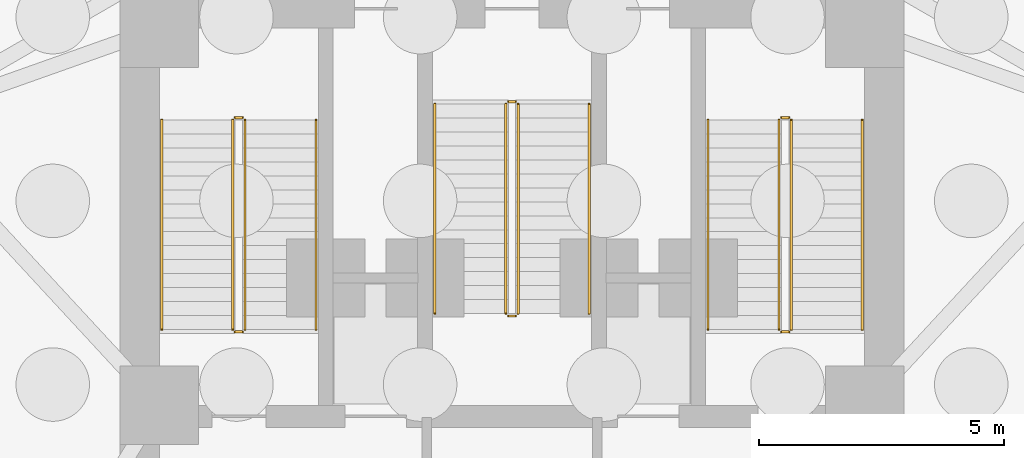
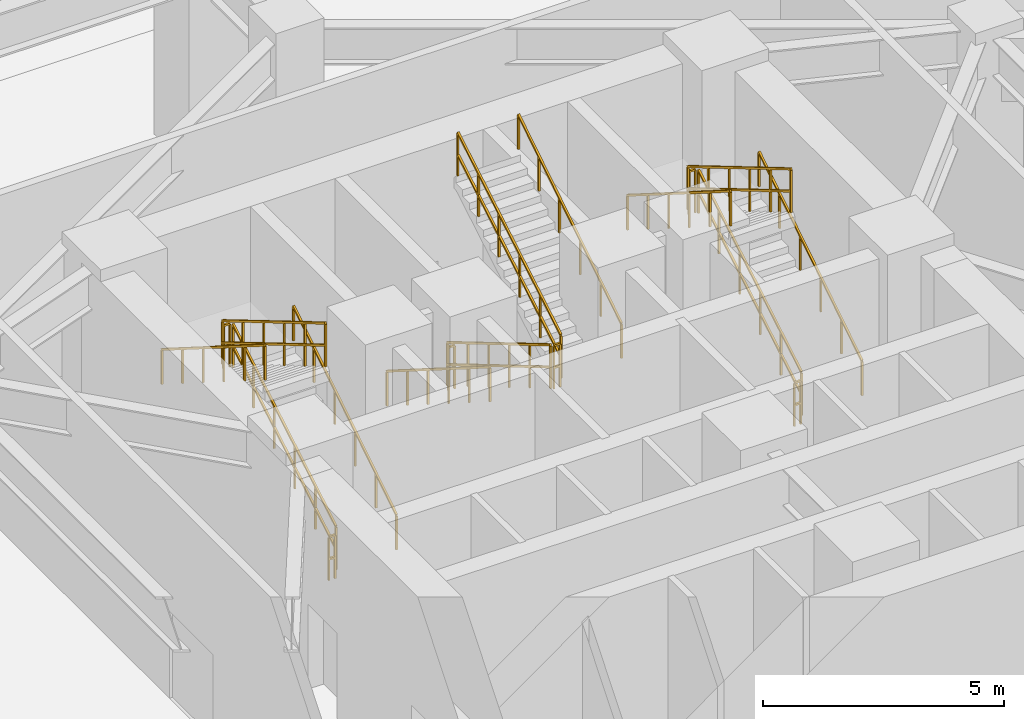
# One storey, part 7 of 8: 18 railings.
"""IFC4 building model written with IfcOpenShell, lengths in metres."""

from ifc_helpers import new_model, si_unit, direction, frame, origin, origin_2d, place, context, subcontext, project, spatial, rectangle, extrude, material, type_object, element, save


model = new_model("IFC4")

# Units and contexts
model_context = context("Model", 3, precision=1e-05, world=origin(), true_north=direction((0.0, 1.0)))
body_context = subcontext(model_context, "Body", "Model", "MODEL_VIEW")
ifc_project = project(units=[si_unit("LENGTHUNIT", "METRE"), si_unit("AREAUNIT", "SQUARE_METRE"), si_unit("VOLUMEUNIT", "CUBIC_METRE"), si_unit("PLANEANGLEUNIT", "RADIAN"), si_unit("MASSUNIT", "GRAM", prefix="KILO")], contexts=[model_context])

# Site, building, storey
site_placement = place(None, origin())
site = spatial("IfcSite", under=ifc_project, at=site_placement, CompositionType="ELEMENT")
building_placement = place(site_placement, origin())
building = spatial("IfcBuilding", under=site, at=building_placement, Name="Apsidion Concourse Tower", CompositionType="ELEMENT")
storey_placement = place(building_placement, frame((0.0, 0.0, -5.39990234375)))
storey = spatial("IfcBuildingStorey", under=building, at=storey_placement, Name="B01", CompositionType="ELEMENT", Elevation=-5.39990234375)

# Railings
ifc_material = material(Name="Brushed stainless steel 316", Category="steel")
railing_type_1 = type_object("IfcRailingType", Name="RL-GUARD-1100", PredefinedType="GUARDRAIL", material=ifc_material)
railing_1_placement = place(storey_placement, frame((-5.449951171875, 3.0, 0.168701171875)))
element("IfcRailing", 1, at=railing_1_placement, inside=storey, type_object=railing_type_1, Name="B01 ST1 stair guard 1", PredefinedType="GUARDRAIL", context=body_context, shape_type="SweptSolid", body=[
    extrude(rectangle(XDim=0.048095703125, YDim=0.048095703125, at=origin_2d()), frame((0.0, 0.0, 1.09619140625), z_axis=(0.0, 0.860470286479, 0.509500624227), x_axis=(-1.0, 0.0, 0.0)), (0.0, 0.0, 1.0), 4.968017578125),
    extrude(rectangle(XDim=0.048095703125, YDim=0.048095703125, at=origin_2d()), frame((0.0, 0.0, 0.5361328125), z_axis=(0.0, 0.860470286479, 0.509500624227), x_axis=(-1.0, 0.0, 0.0)), (0.0, 0.0, 1.0), 4.968017578125),
    extrude(rectangle(XDim=0.0419921875, YDim=0.0419921875, at=origin_2d()), origin(), (0.0, 0.0, 1.0), 1.072021484375),
    extrude(rectangle(XDim=0.0419921875, YDim=0.0419921875, at=origin_2d()), frame((0.0, 0.85498046875, 0.50634765625)), (0.0, 0.0, 1.0), 1.072021484375),
    extrude(rectangle(XDim=0.0419921875, YDim=0.0419921875, at=origin_2d()), frame((0.0, 1.7099609375, 1.012451171875)), (0.0, 0.0, 1.0), 1.072021484375),
    extrude(rectangle(XDim=0.0419921875, YDim=0.0419921875, at=origin_2d()), frame((0.0, 2.56494140625, 1.518798828125)), (0.0, 0.0, 1.0), 1.072021484375),
    extrude(rectangle(XDim=0.0419921875, YDim=0.0419921875, at=origin_2d()), frame((0.0, 3.419921875, 2.02490234375)), (0.0, 0.0, 1.0), 1.072021484375),
    extrude(rectangle(XDim=0.0419921875, YDim=0.0419921875, at=origin_2d()), frame((0.0, 4.27490234375, 2.53125)), (0.0, 0.0, 1.0), 1.072021484375),
])
railing_2_placement = place(storey_placement, frame((-5.5, 7.324951171875, 2.699951171875)))
element("IfcRailing", 2, at=railing_2_placement, inside=storey, type_object=railing_type_1, Name="B01 ST1 stair guard 2", PredefinedType="GUARDRAIL", context=body_context, shape_type="SweptSolid", body=[
    extrude(rectangle(XDim=0.048095703125, YDim=0.048095703125, at=origin_2d()), frame((0.0, 0.0, 1.09619140625), z_axis=(-1.0, 0.0, 0.0), x_axis=(0.0, -1.0, 0.0)), (0.0, 0.0, 1.0), 0.14990234375),
    extrude(rectangle(XDim=0.048095703125, YDim=0.048095703125, at=origin_2d()), frame((0.0, 0.0, 0.5361328125), z_axis=(-1.0, 0.0, 0.0), x_axis=(0.0, -1.0, 0.0)), (0.0, 0.0, 1.0), 0.14990234375),
    extrude(rectangle(XDim=0.0419921875, YDim=0.0419921875, at=origin_2d()), origin(), (0.0, 0.0, 1.0), 1.072021484375),
    extrude(rectangle(XDim=0.0419921875, YDim=0.0419921875, at=origin_2d()), frame((-0.14990234375, 0.0, 0.0)), (0.0, 0.0, 1.0), 1.072021484375),
])
railing_3_placement = place(storey_placement, frame((-5.699951171875, 7.27490234375, 2.86865234375)))
element("IfcRailing", 3, at=railing_3_placement, inside=storey, type_object=railing_type_1, Name="B01 ST1 stair guard 3", PredefinedType="GUARDRAIL", context=body_context, shape_type="SweptSolid", body=[
    extrude(rectangle(XDim=0.048095703125, YDim=0.048095703125, at=origin_2d()), frame((0.0, 0.0, 1.09619140625), z_axis=(0.0, -0.860470286479, 0.509500624227), x_axis=(1.0, 0.0, 0.0)), (0.0, 0.0, 1.0), 4.968017578125),
    extrude(rectangle(XDim=0.048095703125, YDim=0.048095703125, at=origin_2d()), frame((0.0, 0.0, 0.5361328125), z_axis=(0.0, -0.860470286479, 0.509500624227), x_axis=(1.0, 0.0, 0.0)), (0.0, 0.0, 1.0), 4.968017578125),
    extrude(rectangle(XDim=0.0419921875, YDim=0.0419921875, at=origin_2d()), origin(), (0.0, 0.0, 1.0), 1.072021484375),
    extrude(rectangle(XDim=0.0419921875, YDim=0.0419921875, at=origin_2d()), frame((0.0, -0.85498046875, 0.50634765625)), (0.0, 0.0, 1.0), 1.072021484375),
    extrude(rectangle(XDim=0.0419921875, YDim=0.0419921875, at=origin_2d()), frame((0.0, -1.7099609375, 1.012451171875)), (0.0, 0.0, 1.0), 1.072021484375),
    extrude(rectangle(XDim=0.0419921875, YDim=0.0419921875, at=origin_2d()), frame((0.0, -2.56494140625, 1.518798828125)), (0.0, 0.0, 1.0), 1.072021484375),
    extrude(rectangle(XDim=0.0419921875, YDim=0.0419921875, at=origin_2d()), frame((0.0, -3.419921875, 2.02490234375)), (0.0, 0.0, 1.0), 1.072021484375),
    extrude(rectangle(XDim=0.0419921875, YDim=0.0419921875, at=origin_2d()), frame((0.0, -4.27490234375, 2.53125)), (0.0, 0.0, 1.0), 1.072021484375),
])
railing_4_placement = place(storey_placement, frame((-5.5, 2.949951171875, 0.0)))
element("IfcRailing", 4, at=railing_4_placement, inside=storey, type_object=railing_type_1, Name="B01 ST1 stair guard 4", PredefinedType="GUARDRAIL", context=body_context, shape_type="SweptSolid", body=[
    extrude(rectangle(XDim=0.048095703125, YDim=0.048095703125, at=origin_2d()), frame((0.0, 0.0, 1.09619140625), z_axis=(-1.0, 0.0, 0.0), x_axis=(0.0, -1.0, 0.0)), (0.0, 0.0, 1.0), 0.14990234375),
    extrude(rectangle(XDim=0.048095703125, YDim=0.048095703125, at=origin_2d()), frame((0.0, 0.0, 0.5361328125), z_axis=(-1.0, 0.0, 0.0), x_axis=(0.0, -1.0, 0.0)), (0.0, 0.0, 1.0), 0.14990234375),
    extrude(rectangle(XDim=0.0419921875, YDim=0.0419921875, at=origin_2d()), origin(), (0.0, 0.0, 1.0), 1.072021484375),
    extrude(rectangle(XDim=0.0419921875, YDim=0.0419921875, at=origin_2d()), frame((-0.14990234375, 0.0, 0.0)), (0.0, 0.0, 1.0), 1.072021484375),
])
railing_5_placement = place(storey_placement, frame((5.699951171875, 3.0, 0.168701171875)))
element("IfcRailing", 5, at=railing_5_placement, inside=storey, type_object=railing_type_1, Name="B01 ST2 stair guard 1", PredefinedType="GUARDRAIL", context=body_context, shape_type="SweptSolid", body=[
    extrude(rectangle(XDim=0.048095703125, YDim=0.048095703125, at=origin_2d()), frame((0.0, 0.0, 1.09619140625), z_axis=(0.0, 0.860470286479, 0.509500624227), x_axis=(-1.0, 0.0, 0.0)), (0.0, 0.0, 1.0), 4.968017578125),
    extrude(rectangle(XDim=0.048095703125, YDim=0.048095703125, at=origin_2d()), frame((0.0, 0.0, 0.5361328125), z_axis=(0.0, 0.860470286479, 0.509500624227), x_axis=(-1.0, 0.0, 0.0)), (0.0, 0.0, 1.0), 4.968017578125),
    extrude(rectangle(XDim=0.0419921875, YDim=0.0419921875, at=origin_2d()), origin(), (0.0, 0.0, 1.0), 1.072021484375),
    extrude(rectangle(XDim=0.0419921875, YDim=0.0419921875, at=origin_2d()), frame((0.0, 0.85498046875, 0.50634765625)), (0.0, 0.0, 1.0), 1.072021484375),
    extrude(rectangle(XDim=0.0419921875, YDim=0.0419921875, at=origin_2d()), frame((0.0, 1.7099609375, 1.012451171875)), (0.0, 0.0, 1.0), 1.072021484375),
    extrude(rectangle(XDim=0.0419921875, YDim=0.0419921875, at=origin_2d()), frame((0.0, 2.56494140625, 1.518798828125)), (0.0, 0.0, 1.0), 1.072021484375),
    extrude(rectangle(XDim=0.0419921875, YDim=0.0419921875, at=origin_2d()), frame((0.0, 3.419921875, 2.02490234375)), (0.0, 0.0, 1.0), 1.072021484375),
    extrude(rectangle(XDim=0.0419921875, YDim=0.0419921875, at=origin_2d()), frame((0.0, 4.27490234375, 2.53125)), (0.0, 0.0, 1.0), 1.072021484375),
])
railing_6_placement = place(storey_placement, frame((5.64990234375, 7.324951171875, 2.699951171875)))
element("IfcRailing", 6, at=railing_6_placement, inside=storey, type_object=railing_type_1, Name="B01 ST2 stair guard 2", PredefinedType="GUARDRAIL", context=body_context, shape_type="SweptSolid", body=[
    extrude(rectangle(XDim=0.048095703125, YDim=0.048095703125, at=origin_2d()), frame((0.0, 0.0, 1.09619140625), z_axis=(-1.0, 0.0, 0.0), x_axis=(0.0, -1.0, 0.0)), (0.0, 0.0, 1.0), 0.14990234375),
    extrude(rectangle(XDim=0.048095703125, YDim=0.048095703125, at=origin_2d()), frame((0.0, 0.0, 0.5361328125), z_axis=(-1.0, 0.0, 0.0), x_axis=(0.0, -1.0, 0.0)), (0.0, 0.0, 1.0), 0.14990234375),
    extrude(rectangle(XDim=0.0419921875, YDim=0.0419921875, at=origin_2d()), origin(), (0.0, 0.0, 1.0), 1.072021484375),
    extrude(rectangle(XDim=0.0419921875, YDim=0.0419921875, at=origin_2d()), frame((-0.14990234375, 0.0, 0.0)), (0.0, 0.0, 1.0), 1.072021484375),
])
railing_7_placement = place(storey_placement, frame((5.449951171875, 7.27490234375, 2.86865234375)))
element("IfcRailing", 7, at=railing_7_placement, inside=storey, type_object=railing_type_1, Name="B01 ST2 stair guard 3", PredefinedType="GUARDRAIL", context=body_context, shape_type="SweptSolid", body=[
    extrude(rectangle(XDim=0.048095703125, YDim=0.048095703125, at=origin_2d()), frame((0.0, 0.0, 1.09619140625), z_axis=(0.0, -0.860470286479, 0.509500624227), x_axis=(1.0, 0.0, 0.0)), (0.0, 0.0, 1.0), 4.968017578125),
    extrude(rectangle(XDim=0.048095703125, YDim=0.048095703125, at=origin_2d()), frame((0.0, 0.0, 0.5361328125), z_axis=(0.0, -0.860470286479, 0.509500624227), x_axis=(1.0, 0.0, 0.0)), (0.0, 0.0, 1.0), 4.968017578125),
    extrude(rectangle(XDim=0.0419921875, YDim=0.0419921875, at=origin_2d()), origin(), (0.0, 0.0, 1.0), 1.072021484375),
    extrude(rectangle(XDim=0.0419921875, YDim=0.0419921875, at=origin_2d()), frame((0.0, -0.85498046875, 0.50634765625)), (0.0, 0.0, 1.0), 1.072021484375),
    extrude(rectangle(XDim=0.0419921875, YDim=0.0419921875, at=origin_2d()), frame((0.0, -1.7099609375, 1.012451171875)), (0.0, 0.0, 1.0), 1.072021484375),
    extrude(rectangle(XDim=0.0419921875, YDim=0.0419921875, at=origin_2d()), frame((0.0, -2.56494140625, 1.518798828125)), (0.0, 0.0, 1.0), 1.072021484375),
    extrude(rectangle(XDim=0.0419921875, YDim=0.0419921875, at=origin_2d()), frame((0.0, -3.419921875, 2.02490234375)), (0.0, 0.0, 1.0), 1.072021484375),
    extrude(rectangle(XDim=0.0419921875, YDim=0.0419921875, at=origin_2d()), frame((0.0, -4.27490234375, 2.53125)), (0.0, 0.0, 1.0), 1.072021484375),
])
railing_8_placement = place(storey_placement, frame((5.64990234375, 2.949951171875, 0.0)))
element("IfcRailing", 8, at=railing_8_placement, inside=storey, type_object=railing_type_1, Name="B01 ST2 stair guard 4", PredefinedType="GUARDRAIL", context=body_context, shape_type="SweptSolid", body=[
    extrude(rectangle(XDim=0.048095703125, YDim=0.048095703125, at=origin_2d()), frame((0.0, 0.0, 1.09619140625), z_axis=(-1.0, 0.0, 0.0), x_axis=(0.0, -1.0, 0.0)), (0.0, 0.0, 1.0), 0.14990234375),
    extrude(rectangle(XDim=0.048095703125, YDim=0.048095703125, at=origin_2d()), frame((0.0, 0.0, 0.5361328125), z_axis=(-1.0, 0.0, 0.0), x_axis=(0.0, -1.0, 0.0)), (0.0, 0.0, 1.0), 0.14990234375),
    extrude(rectangle(XDim=0.0419921875, YDim=0.0419921875, at=origin_2d()), origin(), (0.0, 0.0, 1.0), 1.072021484375),
    extrude(rectangle(XDim=0.0419921875, YDim=0.0419921875, at=origin_2d()), frame((-0.14990234375, 0.0, 0.0)), (0.0, 0.0, 1.0), 1.072021484375),
])
railing_9_placement = place(storey_placement, frame((-0.125, 7.60009765625, 0.168701171875)))
element("IfcRailing", 9, at=railing_9_placement, inside=storey, type_object=railing_type_1, Name="B01 ST3 stair guard 1", PredefinedType="GUARDRAIL", context=body_context, shape_type="SweptSolid", body=[
    extrude(rectangle(XDim=0.048095703125, YDim=0.048095703125, at=origin_2d()), frame((0.0, 0.0, 1.09619140625), z_axis=(0.0, -0.860483042394, 0.50947908078), x_axis=(1.0, 0.0, 0.0)), (0.0, 0.0, 1.0), 4.96826171875),
    extrude(rectangle(XDim=0.048095703125, YDim=0.048095703125, at=origin_2d()), frame((0.0, 0.0, 0.5361328125), z_axis=(0.0, -0.860483042394, 0.50947908078), x_axis=(1.0, 0.0, 0.0)), (0.0, 0.0, 1.0), 4.96826171875),
    extrude(rectangle(XDim=0.0419921875, YDim=0.0419921875, at=origin_2d()), origin(), (0.0, 0.0, 1.0), 1.072021484375),
    extrude(rectangle(XDim=0.0419921875, YDim=0.0419921875, at=origin_2d()), frame((0.0, -0.85498046875, 0.50634765625)), (0.0, 0.0, 1.0), 1.072021484375),
    extrude(rectangle(XDim=0.0419921875, YDim=0.0419921875, at=origin_2d()), frame((0.0, -1.7099609375, 1.012451171875)), (0.0, 0.0, 1.0), 1.072021484375),
    extrude(rectangle(XDim=0.0419921875, YDim=0.0419921875, at=origin_2d()), frame((0.0, -2.565185546875, 1.518798828125)), (0.0, 0.0, 1.0), 1.072021484375),
    extrude(rectangle(XDim=0.0419921875, YDim=0.0419921875, at=origin_2d()), frame((0.0, -3.420166015625, 2.02490234375)), (0.0, 0.0, 1.0), 1.072021484375),
    extrude(rectangle(XDim=0.0419921875, YDim=0.0419921875, at=origin_2d()), frame((0.0, -4.275146484375, 2.53125)), (0.0, 0.0, 1.0), 1.072021484375),
])
railing_10_placement = place(storey_placement, frame((-0.074951171875, 3.27490234375, 2.699951171875)))
element("IfcRailing", 10, at=railing_10_placement, inside=storey, type_object=railing_type_1, Name="B01 ST3 stair guard 2", PredefinedType="GUARDRAIL", context=body_context, shape_type="SweptSolid", body=[
    extrude(rectangle(XDim=0.048095703125, YDim=0.048095703125, at=origin_2d()), frame((0.0, 0.0, 1.09619140625), z_axis=(1.0, 0.0, 0.0), x_axis=(0.0, 1.0, 0.0)), (0.0, 0.0, 1.0), 0.14990234375),
    extrude(rectangle(XDim=0.048095703125, YDim=0.048095703125, at=origin_2d()), frame((0.0, 0.0, 0.5361328125), z_axis=(1.0, 0.0, 0.0), x_axis=(0.0, 1.0, 0.0)), (0.0, 0.0, 1.0), 0.14990234375),
    extrude(rectangle(XDim=0.0419921875, YDim=0.0419921875, at=origin_2d()), origin(), (0.0, 0.0, 1.0), 1.072021484375),
    extrude(rectangle(XDim=0.0419921875, YDim=0.0419921875, at=origin_2d()), frame((0.14990234375, 0.0, 0.0)), (0.0, 0.0, 1.0), 1.072021484375),
])
railing_11_placement = place(storey_placement, frame((0.125, 3.324951171875, 2.86865234375)))
element("IfcRailing", 11, at=railing_11_placement, inside=storey, type_object=railing_type_1, Name="B01 ST3 stair guard 3", PredefinedType="GUARDRAIL", context=body_context, shape_type="SweptSolid", body=[
    extrude(rectangle(XDim=0.048095703125, YDim=0.048095703125, at=origin_2d()), frame((0.0, 0.0, 1.09619140625), z_axis=(0.0, 0.860483042394, 0.50947908078), x_axis=(-1.0, 0.0, 0.0)), (0.0, 0.0, 1.0), 4.96826171875),
    extrude(rectangle(XDim=0.048095703125, YDim=0.048095703125, at=origin_2d()), frame((0.0, 0.0, 0.5361328125), z_axis=(0.0, 0.860483042394, 0.50947908078), x_axis=(-1.0, 0.0, 0.0)), (0.0, 0.0, 1.0), 4.96826171875),
    extrude(rectangle(XDim=0.0419921875, YDim=0.0419921875, at=origin_2d()), origin(), (0.0, 0.0, 1.0), 1.072021484375),
    extrude(rectangle(XDim=0.0419921875, YDim=0.0419921875, at=origin_2d()), frame((0.0, 0.85498046875, 0.50634765625)), (0.0, 0.0, 1.0), 1.072021484375),
    extrude(rectangle(XDim=0.0419921875, YDim=0.0419921875, at=origin_2d()), frame((0.0, 1.7099609375, 1.012451171875)), (0.0, 0.0, 1.0), 1.072021484375),
    extrude(rectangle(XDim=0.0419921875, YDim=0.0419921875, at=origin_2d()), frame((0.0, 2.565185546875, 1.518798828125)), (0.0, 0.0, 1.0), 1.072021484375),
    extrude(rectangle(XDim=0.0419921875, YDim=0.0419921875, at=origin_2d()), frame((0.0, 3.420166015625, 2.02490234375)), (0.0, 0.0, 1.0), 1.072021484375),
    extrude(rectangle(XDim=0.0419921875, YDim=0.0419921875, at=origin_2d()), frame((0.0, 4.275146484375, 2.53125)), (0.0, 0.0, 1.0), 1.072021484375),
])
railing_12_placement = place(storey_placement, frame((-0.074951171875, 7.64990234375, 0.0)))
element("IfcRailing", 12, at=railing_12_placement, inside=storey, type_object=railing_type_1, Name="B01 ST3 stair guard 4", PredefinedType="GUARDRAIL", context=body_context, shape_type="SweptSolid", body=[
    extrude(rectangle(XDim=0.048095703125, YDim=0.048095703125, at=origin_2d()), frame((0.0, 0.0, 1.09619140625), z_axis=(1.0, 0.0, 0.0), x_axis=(0.0, 1.0, 0.0)), (0.0, 0.0, 1.0), 0.14990234375),
    extrude(rectangle(XDim=0.048095703125, YDim=0.048095703125, at=origin_2d()), frame((0.0, 0.0, 0.5361328125), z_axis=(1.0, 0.0, 0.0), x_axis=(0.0, 1.0, 0.0)), (0.0, 0.0, 1.0), 0.14990234375),
    extrude(rectangle(XDim=0.0419921875, YDim=0.0419921875, at=origin_2d()), origin(), (0.0, 0.0, 1.0), 1.072021484375),
    extrude(rectangle(XDim=0.0419921875, YDim=0.0419921875, at=origin_2d()), frame((0.14990234375, 0.0, 0.0)), (0.0, 0.0, 1.0), 1.072021484375),
])
railing_type_2 = type_object("IfcRailingType", Name="RL-HAND-900", PredefinedType="HANDRAIL", material=ifc_material)
railing_13_placement = place(storey_placement, frame((-4.0, 3.0, 0.168701171875)))
element("IfcRailing", 13, at=railing_13_placement, inside=storey, type_object=railing_type_2, Name="B01 ST1 stair handrail 1", PredefinedType="HANDRAIL", context=body_context, shape_type="SweptSolid", body=[
    extrude(rectangle(XDim=0.048095703125, YDim=0.048095703125, at=origin_2d()), frame((0.0, 0.0, 0.8759765625), z_axis=(0.0, 0.845487755639, 0.533994808088), x_axis=(-1.0, 0.0, 0.0)), (0.0, 0.0, 1.0), 5.05615234375),
    extrude(rectangle(XDim=0.0419921875, YDim=0.0419921875, at=origin_2d()), origin(), (0.0, 0.0, 1.0), 0.851806640625),
    extrude(rectangle(XDim=0.0419921875, YDim=0.0419921875, at=origin_2d()), frame((0.0, 0.85498046875, 0.5400390625)), (0.0, 0.0, 1.0), 0.851806640625),
    extrude(rectangle(XDim=0.0419921875, YDim=0.0419921875, at=origin_2d()), frame((0.0, 1.7099609375, 1.080078125)), (0.0, 0.0, 1.0), 0.851806640625),
    extrude(rectangle(XDim=0.0419921875, YDim=0.0419921875, at=origin_2d()), frame((0.0, 2.56494140625, 1.619873046875)), (0.0, 0.0, 1.0), 0.851806640625),
    extrude(rectangle(XDim=0.0419921875, YDim=0.0419921875, at=origin_2d()), frame((0.0, 3.419921875, 2.159912109375)), (0.0, 0.0, 1.0), 0.851806640625),
    extrude(rectangle(XDim=0.0419921875, YDim=0.0419921875, at=origin_2d()), frame((0.0, 4.27490234375, 2.699951171875)), (0.0, 0.0, 1.0), 0.851806640625),
])
railing_14_placement = place(storey_placement, frame((-7.14990234375, 7.27490234375, 2.86865234375)))
element("IfcRailing", 14, at=railing_14_placement, inside=storey, type_object=railing_type_2, Name="B01 ST1 stair handrail 2", PredefinedType="HANDRAIL", context=body_context, shape_type="SweptSolid", body=[
    extrude(rectangle(XDim=0.048095703125, YDim=0.048095703125, at=origin_2d()), frame((0.0, 0.0, 0.8759765625), z_axis=(0.0, -0.845487755639, 0.533994808088), x_axis=(1.0, 0.0, 0.0)), (0.0, 0.0, 1.0), 5.05615234375),
    extrude(rectangle(XDim=0.0419921875, YDim=0.0419921875, at=origin_2d()), origin(), (0.0, 0.0, 1.0), 0.851806640625),
    extrude(rectangle(XDim=0.0419921875, YDim=0.0419921875, at=origin_2d()), frame((0.0, -0.85498046875, 0.5400390625)), (0.0, 0.0, 1.0), 0.851806640625),
    extrude(rectangle(XDim=0.0419921875, YDim=0.0419921875, at=origin_2d()), frame((0.0, -1.7099609375, 1.080078125)), (0.0, 0.0, 1.0), 0.851806640625),
    extrude(rectangle(XDim=0.0419921875, YDim=0.0419921875, at=origin_2d()), frame((0.0, -2.56494140625, 1.619873046875)), (0.0, 0.0, 1.0), 0.851806640625),
    extrude(rectangle(XDim=0.0419921875, YDim=0.0419921875, at=origin_2d()), frame((0.0, -3.419921875, 2.159912109375)), (0.0, 0.0, 1.0), 0.851806640625),
    extrude(rectangle(XDim=0.0419921875, YDim=0.0419921875, at=origin_2d()), frame((0.0, -4.27490234375, 2.699951171875)), (0.0, 0.0, 1.0), 0.851806640625),
])
railing_15_placement = place(storey_placement, frame((7.14990234375, 3.0, 0.168701171875)))
element("IfcRailing", 15, at=railing_15_placement, inside=storey, type_object=railing_type_2, Name="B01 ST2 stair handrail 1", PredefinedType="HANDRAIL", context=body_context, shape_type="SweptSolid", body=[
    extrude(rectangle(XDim=0.048095703125, YDim=0.048095703125, at=origin_2d()), frame((0.0, 0.0, 0.8759765625), z_axis=(0.0, 0.845487755639, 0.533994808088), x_axis=(-1.0, 0.0, 0.0)), (0.0, 0.0, 1.0), 5.05615234375),
    extrude(rectangle(XDim=0.0419921875, YDim=0.0419921875, at=origin_2d()), origin(), (0.0, 0.0, 1.0), 0.851806640625),
    extrude(rectangle(XDim=0.0419921875, YDim=0.0419921875, at=origin_2d()), frame((0.0, 0.85498046875, 0.5400390625)), (0.0, 0.0, 1.0), 0.851806640625),
    extrude(rectangle(XDim=0.0419921875, YDim=0.0419921875, at=origin_2d()), frame((0.0, 1.7099609375, 1.080078125)), (0.0, 0.0, 1.0), 0.851806640625),
    extrude(rectangle(XDim=0.0419921875, YDim=0.0419921875, at=origin_2d()), frame((0.0, 2.56494140625, 1.619873046875)), (0.0, 0.0, 1.0), 0.851806640625),
    extrude(rectangle(XDim=0.0419921875, YDim=0.0419921875, at=origin_2d()), frame((0.0, 3.419921875, 2.159912109375)), (0.0, 0.0, 1.0), 0.851806640625),
    extrude(rectangle(XDim=0.0419921875, YDim=0.0419921875, at=origin_2d()), frame((0.0, 4.27490234375, 2.699951171875)), (0.0, 0.0, 1.0), 0.851806640625),
])
railing_16_placement = place(storey_placement, frame((4.0, 7.27490234375, 2.86865234375)))
element("IfcRailing", 16, at=railing_16_placement, inside=storey, type_object=railing_type_2, Name="B01 ST2 stair handrail 2", PredefinedType="HANDRAIL", context=body_context, shape_type="SweptSolid", body=[
    extrude(rectangle(XDim=0.048095703125, YDim=0.048095703125, at=origin_2d()), frame((0.0, 0.0, 0.8759765625), z_axis=(0.0, -0.845487755639, 0.533994808088), x_axis=(1.0, 0.0, 0.0)), (0.0, 0.0, 1.0), 5.05615234375),
    extrude(rectangle(XDim=0.0419921875, YDim=0.0419921875, at=origin_2d()), origin(), (0.0, 0.0, 1.0), 0.851806640625),
    extrude(rectangle(XDim=0.0419921875, YDim=0.0419921875, at=origin_2d()), frame((0.0, -0.85498046875, 0.5400390625)), (0.0, 0.0, 1.0), 0.851806640625),
    extrude(rectangle(XDim=0.0419921875, YDim=0.0419921875, at=origin_2d()), frame((0.0, -1.7099609375, 1.080078125)), (0.0, 0.0, 1.0), 0.851806640625),
    extrude(rectangle(XDim=0.0419921875, YDim=0.0419921875, at=origin_2d()), frame((0.0, -2.56494140625, 1.619873046875)), (0.0, 0.0, 1.0), 0.851806640625),
    extrude(rectangle(XDim=0.0419921875, YDim=0.0419921875, at=origin_2d()), frame((0.0, -3.419921875, 2.159912109375)), (0.0, 0.0, 1.0), 0.851806640625),
    extrude(rectangle(XDim=0.0419921875, YDim=0.0419921875, at=origin_2d()), frame((0.0, -4.27490234375, 2.699951171875)), (0.0, 0.0, 1.0), 0.851806640625),
])
railing_17_placement = place(storey_placement, frame((-1.574951171875, 7.60009765625, 0.168701171875)))
element("IfcRailing", 17, at=railing_17_placement, inside=storey, type_object=railing_type_2, Name="B01 ST3 stair handrail 1", PredefinedType="HANDRAIL", context=body_context, shape_type="SweptSolid", body=[
    extrude(rectangle(XDim=0.048095703125, YDim=0.048095703125, at=origin_2d()), frame((0.0, 0.0, 0.8759765625), z_axis=(0.0, -0.845501523569, 0.533973008346), x_axis=(1.0, 0.0, 0.0)), (0.0, 0.0, 1.0), 5.056396484375),
    extrude(rectangle(XDim=0.0419921875, YDim=0.0419921875, at=origin_2d()), origin(), (0.0, 0.0, 1.0), 0.851806640625),
    extrude(rectangle(XDim=0.0419921875, YDim=0.0419921875, at=origin_2d()), frame((0.0, -0.85498046875, 0.5400390625)), (0.0, 0.0, 1.0), 0.851806640625),
    extrude(rectangle(XDim=0.0419921875, YDim=0.0419921875, at=origin_2d()), frame((0.0, -1.7099609375, 1.080078125)), (0.0, 0.0, 1.0), 0.851806640625),
    extrude(rectangle(XDim=0.0419921875, YDim=0.0419921875, at=origin_2d()), frame((0.0, -2.565185546875, 1.619873046875)), (0.0, 0.0, 1.0), 0.851806640625),
    extrude(rectangle(XDim=0.0419921875, YDim=0.0419921875, at=origin_2d()), frame((0.0, -3.420166015625, 2.159912109375)), (0.0, 0.0, 1.0), 0.851806640625),
    extrude(rectangle(XDim=0.0419921875, YDim=0.0419921875, at=origin_2d()), frame((0.0, -4.275146484375, 2.699951171875)), (0.0, 0.0, 1.0), 0.851806640625),
])
railing_18_placement = place(storey_placement, frame((1.574951171875, 3.324951171875, 2.86865234375)))
element("IfcRailing", 18, at=railing_18_placement, inside=storey, type_object=railing_type_2, Name="B01 ST3 stair handrail 2", PredefinedType="HANDRAIL", context=body_context, shape_type="SweptSolid", body=[
    extrude(rectangle(XDim=0.048095703125, YDim=0.048095703125, at=origin_2d()), frame((0.0, 0.0, 0.8759765625), z_axis=(0.0, 0.845501523569, 0.533973008346), x_axis=(-1.0, 0.0, 0.0)), (0.0, 0.0, 1.0), 5.056396484375),
    extrude(rectangle(XDim=0.0419921875, YDim=0.0419921875, at=origin_2d()), origin(), (0.0, 0.0, 1.0), 0.851806640625),
    extrude(rectangle(XDim=0.0419921875, YDim=0.0419921875, at=origin_2d()), frame((0.0, 0.85498046875, 0.5400390625)), (0.0, 0.0, 1.0), 0.851806640625),
    extrude(rectangle(XDim=0.0419921875, YDim=0.0419921875, at=origin_2d()), frame((0.0, 1.7099609375, 1.080078125)), (0.0, 0.0, 1.0), 0.851806640625),
    extrude(rectangle(XDim=0.0419921875, YDim=0.0419921875, at=origin_2d()), frame((0.0, 2.565185546875, 1.619873046875)), (0.0, 0.0, 1.0), 0.851806640625),
    extrude(rectangle(XDim=0.0419921875, YDim=0.0419921875, at=origin_2d()), frame((0.0, 3.420166015625, 2.159912109375)), (0.0, 0.0, 1.0), 0.851806640625),
    extrude(rectangle(XDim=0.0419921875, YDim=0.0419921875, at=origin_2d()), frame((0.0, 4.275146484375, 2.699951171875)), (0.0, 0.0, 1.0), 0.851806640625),
])

save(model, "model.ifc")
